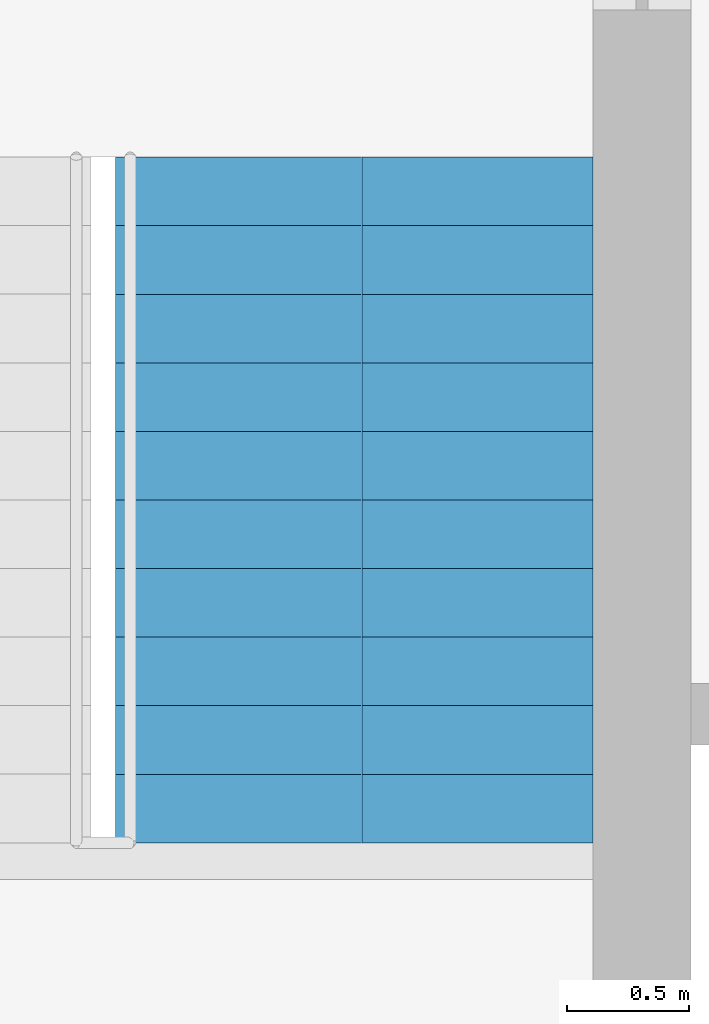
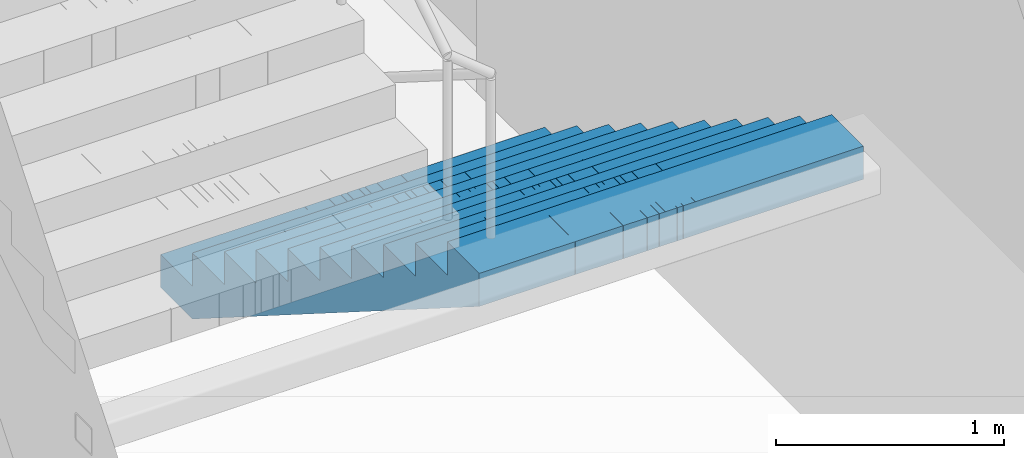
# One storey, part 21 of 22: 1 stair flight, 1 element without a shape of its own.
"""IFC4 building model written with IfcOpenShell, lengths in metres."""

from ifc_helpers import new_model, si_unit, direction, frame, origin, place, context, subcontext, project, spatial, polyline, outline, extrude, material, type_object, element, aggregate, save


model = new_model("IFC4")

# Units and contexts
model_context = context("Model", 3, precision=1e-05, world=origin(), true_north=direction((0.0, 1.0)))
body_context = subcontext(model_context, "Body", "Model", "MODEL_VIEW")
ifc_project = project(units=[si_unit("LENGTHUNIT", "METRE"), si_unit("AREAUNIT", "SQUARE_METRE"), si_unit("VOLUMEUNIT", "CUBIC_METRE"), si_unit("PLANEANGLEUNIT", "RADIAN"), si_unit("MASSUNIT", "GRAM", prefix="KILO")], contexts=[model_context])

# Site, building, storey
site_placement = place(None, origin())
site = spatial("IfcSite", under=ifc_project, at=site_placement, CompositionType="ELEMENT")
building_placement = place(site_placement, origin())
building = spatial("IfcBuilding", under=site, at=building_placement, Name="Mizan Broadcast Tower", CompositionType="ELEMENT")
storey_placement = place(building_placement, frame((0.0, 0.0, 47.39990234375)))
storey = spatial("IfcBuildingStorey", under=building, at=storey_placement, Name="L08", CompositionType="ELEMENT", Elevation=47.39990234375)

# Stair, stair flight
ifc_material_1 = material(Name="Concrete C40/50", Category="concrete")
stair_type = type_object("IfcStairType", Name="EXIT STAIR", PredefinedType="HALF_TURN_STAIR", material=ifc_material_1)
stair_placement = place(storey_placement, origin())
stair = element("IfcStair", 1, at=stair_placement, inside=storey, type_object=stair_type, Name="Stair B L08", PredefinedType="HALF_TURN_STAIR")
ifc_material_2 = material(Name="Concrete C40/50", Category="concrete")
stair_flight_type = type_object("IfcStairFlightType", Name="EXIT STAIR FLIGHT", PredefinedType="STRAIGHT", material=ifc_material_2)
stair_flight_placement = place(storey_placement, frame((1.02490234375, 7.89990234375, 0.0), z_axis=(0.0, 0.0, 1.0), x_axis=(0.0, -1.0, 0.0)))
stair_flight = element("IfcStairFlight", 2, at=stair_flight_placement, type_object=stair_flight_type, Name="B flight 1", NumberOfRisers=11, NumberOfTreads=10, PredefinedType="STRAIGHT", RiserHeight=0.177272727, TreadLength=0.28, context=body_context, shape_type="SweptSolid", body=[
    extrude(outline(polyline([(0.0, 0.0), (0.0, 0.17724609375), (0.280029296875, 0.17724609375), (0.280029296875, 0.3544921875), (0.56005859375, 0.3544921875), (0.56005859375, 0.53173828125), (0.840087890625, 0.53173828125), (0.840087890625, 0.708984375), (1.1201171875, 0.708984375), (1.1201171875, 0.886474609375), (1.39990234375, 0.886474609375), (1.39990234375, 1.063720703125), (1.679931640625, 1.063720703125), (1.679931640625, 1.240966796875), (1.9599609375, 1.240966796875), (1.9599609375, 1.418212890625), (2.239990234375, 1.418212890625), (2.239990234375, 1.595458984375), (2.52001953125, 1.595458984375), (2.52001953125, 1.772705078125), (2.800048828125, 1.772705078125), (2.800048828125, 1.949951171875), (2.800048828125, 1.59521484375), (0.2802734375, 0.0), (0.0, 0.0)])), frame((0.0, 0.97509765625, 0.0), z_axis=(0.0, -1.0, 0.0), x_axis=(1.0, 0.0, 0.0)), (0.0, 0.0, 1.0), 0.4873046875),
    extrude(outline(polyline([(0.0, 0.0), (0.0, 0.17724609375), (0.280029296875, 0.17724609375), (0.280029296875, 0.3544921875), (0.56005859375, 0.3544921875), (0.56005859375, 0.53173828125), (0.840087890625, 0.53173828125), (0.840087890625, 0.708984375), (1.1201171875, 0.708984375), (1.1201171875, 0.886474609375), (1.39990234375, 0.886474609375), (1.39990234375, 1.063720703125), (1.679931640625, 1.063720703125), (1.679931640625, 1.240966796875), (1.9599609375, 1.240966796875), (1.9599609375, 1.418212890625), (2.239990234375, 1.418212890625), (2.239990234375, 1.595458984375), (2.52001953125, 1.595458984375), (2.52001953125, 1.772705078125), (2.800048828125, 1.772705078125), (2.800048828125, 1.949951171875), (2.800048828125, 1.59521484375), (0.2802734375, 0.0), (0.0, 0.0)])), frame((0.0, 0.4873046875, 0.0), z_axis=(0.0, -1.0, 0.0), x_axis=(1.0, 0.0, 0.0)), (0.0, 0.0, 1.0), 0.2431640625),
    extrude(outline(polyline([(0.0, 0.0), (0.0, 0.17724609375), (0.280029296875, 0.17724609375), (0.280029296875, 0.3544921875), (0.56005859375, 0.3544921875), (0.56005859375, 0.53173828125), (0.840087890625, 0.53173828125), (0.840087890625, 0.708984375), (1.1201171875, 0.708984375), (1.1201171875, 0.886474609375), (1.39990234375, 0.886474609375), (1.39990234375, 1.063720703125), (1.679931640625, 1.063720703125), (1.679931640625, 1.240966796875), (1.9599609375, 1.240966796875), (1.9599609375, 1.418212890625), (2.239990234375, 1.418212890625), (2.239990234375, 1.595458984375), (2.52001953125, 1.595458984375), (2.52001953125, 1.772705078125), (2.800048828125, 1.772705078125), (2.800048828125, 1.949951171875), (2.800048828125, 1.59521484375), (0.2802734375, 0.0), (0.0, 0.0)])), frame((0.0, 0.24365234375, 0.0), z_axis=(0.0, -1.0, 0.0), x_axis=(1.0, 0.0, 0.0)), (0.0, 0.0, 1.0), 0.121337890625),
    extrude(outline(polyline([(0.0, 0.0), (0.0, 0.17724609375), (0.280029296875, 0.17724609375), (0.280029296875, 0.3544921875), (0.56005859375, 0.3544921875), (0.56005859375, 0.53173828125), (0.840087890625, 0.53173828125), (0.840087890625, 0.708984375), (1.1201171875, 0.708984375), (1.1201171875, 0.886474609375), (1.39990234375, 0.886474609375), (1.39990234375, 1.063720703125), (1.679931640625, 1.063720703125), (1.679931640625, 1.240966796875), (1.9599609375, 1.240966796875), (1.9599609375, 1.418212890625), (2.239990234375, 1.418212890625), (2.239990234375, 1.595458984375), (2.52001953125, 1.595458984375), (2.52001953125, 1.772705078125), (2.800048828125, 1.772705078125), (2.800048828125, 1.949951171875), (2.800048828125, 1.59521484375), (0.2802734375, 0.0), (0.0, 0.0)])), frame((0.0, 0.121826171875, 0.0), z_axis=(0.0, -1.0, 0.0), x_axis=(1.0, 0.0, 0.0)), (0.0, 0.0, 1.0), 0.060546875),
    extrude(outline(polyline([(0.0, 0.0), (0.0, 0.17724609375), (0.280029296875, 0.17724609375), (0.280029296875, 0.3544921875), (0.56005859375, 0.3544921875), (0.56005859375, 0.53173828125), (0.840087890625, 0.53173828125), (0.840087890625, 0.708984375), (1.1201171875, 0.708984375), (1.1201171875, 0.886474609375), (1.39990234375, 0.886474609375), (1.39990234375, 1.063720703125), (1.679931640625, 1.063720703125), (1.679931640625, 1.240966796875), (1.9599609375, 1.240966796875), (1.9599609375, 1.418212890625), (2.239990234375, 1.418212890625), (2.239990234375, 1.595458984375), (2.52001953125, 1.595458984375), (2.52001953125, 1.772705078125), (2.800048828125, 1.772705078125), (2.800048828125, 1.949951171875), (2.800048828125, 1.59521484375), (0.2802734375, 0.0), (0.0, 0.0)])), frame((0.0, 0.060791015625, 0.0), z_axis=(0.0, -1.0, 0.0), x_axis=(1.0, 0.0, 0.0)), (0.0, 0.0, 1.0), 0.030029296875),
    extrude(outline(polyline([(0.0, 0.0), (0.0, 0.17724609375), (0.280029296875, 0.17724609375), (0.280029296875, 0.3544921875), (0.56005859375, 0.3544921875), (0.56005859375, 0.53173828125), (0.840087890625, 0.53173828125), (0.840087890625, 0.708984375), (1.1201171875, 0.708984375), (1.1201171875, 0.886474609375), (1.39990234375, 0.886474609375), (1.39990234375, 1.063720703125), (1.679931640625, 1.063720703125), (1.679931640625, 1.240966796875), (1.9599609375, 1.240966796875), (1.9599609375, 1.418212890625), (2.239990234375, 1.418212890625), (2.239990234375, 1.595458984375), (2.52001953125, 1.595458984375), (2.52001953125, 1.772705078125), (2.800048828125, 1.772705078125), (2.800048828125, 1.949951171875), (2.800048828125, 1.59521484375), (0.2802734375, 0.0), (0.0, 0.0)])), frame((0.0, 0.0302734375, 0.0), z_axis=(0.0, -1.0, 0.0), x_axis=(1.0, 0.0, 0.0)), (0.0, 0.0, 1.0), 0.060302734375),
    extrude(outline(polyline([(0.0, 0.0), (0.0, 0.17724609375), (0.280029296875, 0.17724609375), (0.280029296875, 0.3544921875), (0.56005859375, 0.3544921875), (0.56005859375, 0.53173828125), (0.840087890625, 0.53173828125), (0.840087890625, 0.708984375), (1.1201171875, 0.708984375), (1.1201171875, 0.886474609375), (1.39990234375, 0.886474609375), (1.39990234375, 1.063720703125), (1.679931640625, 1.063720703125), (1.679931640625, 1.240966796875), (1.9599609375, 1.240966796875), (1.9599609375, 1.418212890625), (2.239990234375, 1.418212890625), (2.239990234375, 1.595458984375), (2.52001953125, 1.595458984375), (2.52001953125, 1.772705078125), (2.800048828125, 1.772705078125), (2.800048828125, 1.949951171875), (2.800048828125, 1.59521484375), (0.2802734375, 0.0), (0.0, 0.0)])), frame((0.0, -0.030517578125, 0.0), z_axis=(0.0, -1.0, 0.0), x_axis=(1.0, 0.0, 0.0)), (0.0, 0.0, 1.0), 0.030029296875),
    extrude(outline(polyline([(0.0, 0.0), (0.0, 0.17724609375), (0.280029296875, 0.17724609375), (0.280029296875, 0.3544921875), (0.56005859375, 0.3544921875), (0.56005859375, 0.53173828125), (0.840087890625, 0.53173828125), (0.840087890625, 0.708984375), (1.1201171875, 0.708984375), (1.1201171875, 0.886474609375), (1.39990234375, 0.886474609375), (1.39990234375, 1.063720703125), (1.679931640625, 1.063720703125), (1.679931640625, 1.240966796875), (1.9599609375, 1.240966796875), (1.9599609375, 1.418212890625), (2.239990234375, 1.418212890625), (2.239990234375, 1.595458984375), (2.52001953125, 1.595458984375), (2.52001953125, 1.772705078125), (2.800048828125, 1.772705078125), (2.800048828125, 1.949951171875), (2.800048828125, 1.59521484375), (0.2802734375, 0.0), (0.0, 0.0)])), frame((0.0, -0.06103515625, 0.0), z_axis=(0.0, -1.0, 0.0), x_axis=(1.0, 0.0, 0.0)), (0.0, 0.0, 1.0), 0.060546875),
    extrude(outline(polyline([(0.0, 0.0), (0.0, 0.17724609375), (0.280029296875, 0.17724609375), (0.280029296875, 0.3544921875), (0.56005859375, 0.3544921875), (0.56005859375, 0.53173828125), (0.840087890625, 0.53173828125), (0.840087890625, 0.708984375), (1.1201171875, 0.708984375), (1.1201171875, 0.886474609375), (1.39990234375, 0.886474609375), (1.39990234375, 1.063720703125), (1.679931640625, 1.063720703125), (1.679931640625, 1.240966796875), (1.9599609375, 1.240966796875), (1.9599609375, 1.418212890625), (2.239990234375, 1.418212890625), (2.239990234375, 1.595458984375), (2.52001953125, 1.595458984375), (2.52001953125, 1.772705078125), (2.800048828125, 1.772705078125), (2.800048828125, 1.949951171875), (2.800048828125, 1.59521484375), (0.2802734375, 0.0), (0.0, 0.0)])), frame((0.0, -0.1220703125, 0.0), z_axis=(0.0, -1.0, 0.0), x_axis=(1.0, 0.0, 0.0)), (0.0, 0.0, 1.0), 0.121337890625),
    extrude(outline(polyline([(0.0, 0.0), (0.0, 0.17724609375), (0.280029296875, 0.17724609375), (0.280029296875, 0.3544921875), (0.56005859375, 0.3544921875), (0.56005859375, 0.53173828125), (0.840087890625, 0.53173828125), (0.840087890625, 0.708984375), (1.1201171875, 0.708984375), (1.1201171875, 0.886474609375), (1.39990234375, 0.886474609375), (1.39990234375, 1.063720703125), (1.679931640625, 1.063720703125), (1.679931640625, 1.240966796875), (1.9599609375, 1.240966796875), (1.9599609375, 1.418212890625), (2.239990234375, 1.418212890625), (2.239990234375, 1.595458984375), (2.52001953125, 1.595458984375), (2.52001953125, 1.772705078125), (2.800048828125, 1.772705078125), (2.800048828125, 1.949951171875), (2.800048828125, 1.59521484375), (0.2802734375, 0.0), (0.0, 0.0)])), frame((0.0, -0.243896484375, 0.0), z_axis=(0.0, -1.0, 0.0), x_axis=(1.0, 0.0, 0.0)), (0.0, 0.0, 1.0), 0.2431640625),
    extrude(outline(polyline([(0.0, 0.0), (0.0, 0.17724609375), (0.280029296875, 0.17724609375), (0.280029296875, 0.3544921875), (0.56005859375, 0.3544921875), (0.56005859375, 0.53173828125), (0.840087890625, 0.53173828125), (0.840087890625, 0.708984375), (1.1201171875, 0.708984375), (1.1201171875, 0.886474609375), (1.39990234375, 0.886474609375), (1.39990234375, 1.063720703125), (1.679931640625, 1.063720703125), (1.679931640625, 1.240966796875), (1.9599609375, 1.240966796875), (1.9599609375, 1.418212890625), (2.239990234375, 1.418212890625), (2.239990234375, 1.595458984375), (2.52001953125, 1.595458984375), (2.52001953125, 1.772705078125), (2.800048828125, 1.772705078125), (2.800048828125, 1.949951171875), (2.800048828125, 1.59521484375), (0.2802734375, 0.0), (0.0, 0.0)])), frame((0.0, -0.487548828125, 0.0), z_axis=(0.0, -1.0, 0.0), x_axis=(1.0, 0.0, 0.0)), (0.0, 0.0, 1.0), 0.4873046875),
])
aggregate(stair, [stair_flight])

save(model, "model.ifc")
